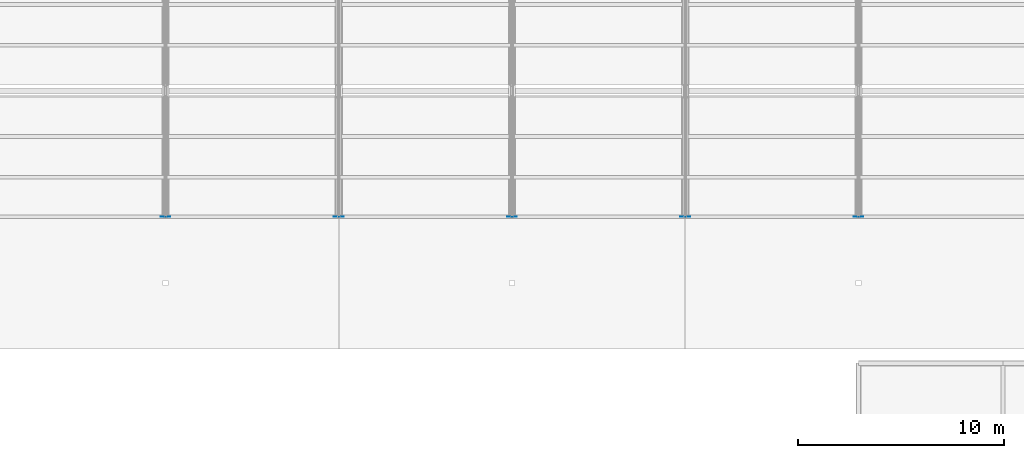
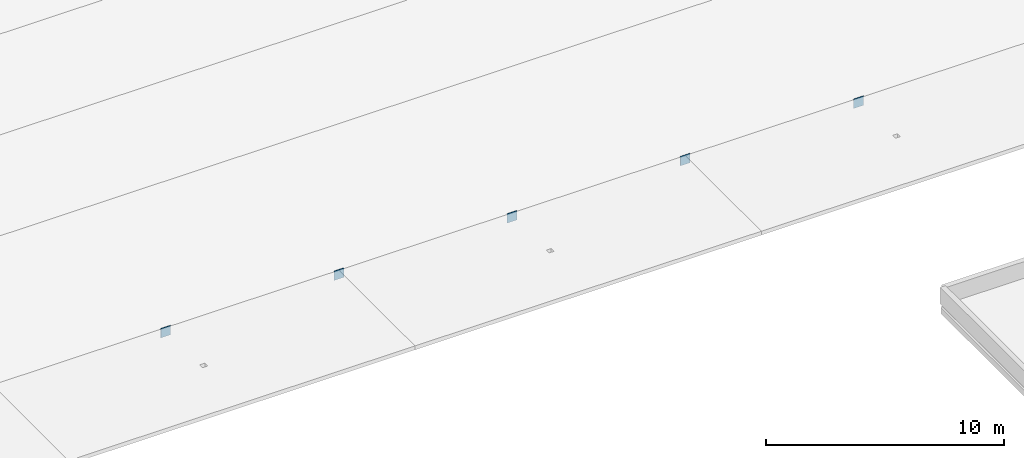
# One storey, part 159 of 194: 5 plates.
"""IFC4 building model written with IfcOpenShell, lengths in metres."""

from ifc_helpers import new_model, si_unit, direction, frame, origin, origin_2d, place, context, subcontext, project, spatial, rectangle, extrude, material, layer, layer_set, type_object, element, save


model = new_model("IFC4")

# Units and contexts
model_context = context("Model", 3, precision=1e-05, world=origin(), true_north=direction((0.0, 1.0)))
body_context = subcontext(model_context, "Body", "Model", "MODEL_VIEW")
ifc_project = project(units=[si_unit("LENGTHUNIT", "METRE"), si_unit("AREAUNIT", "SQUARE_METRE"), si_unit("VOLUMEUNIT", "CUBIC_METRE"), si_unit("PLANEANGLEUNIT", "RADIAN"), si_unit("MASSUNIT", "GRAM", prefix="KILO")], contexts=[model_context])

# Site, building, storey
site_placement = place(None, origin())
site = spatial("IfcSite", under=ifc_project, at=site_placement, CompositionType="ELEMENT")
building_placement = place(site_placement, origin())
building = spatial("IfcBuilding", under=site, at=building_placement, Name="Kazenagashi Tramway Depot", CompositionType="ELEMENT")
storey_placement = place(building_placement, frame((0.0, 0.0, 23.7)))
storey = spatial("IfcBuildingStorey", under=building, at=storey_placement, Name="ROOF", CompositionType="ELEMENT", Elevation=23.7)

# Plates
ifc_material = material(Name="Steel SN490B", Category="steel")
ifc_layer = layer(ifc_material, 0.019)
ifc_layer_set = layer_set([ifc_layer], Name="Steel SN490B")
plate_type = type_object("IfcPlateType", Name="GP-02", PredefinedType="USERDEFINED", material=ifc_layer_set)
for number, where, z_axis, x_axis, name in (
    (1, (70.0, 22.9, -8.84), (0.0, 0.0, 1.0), (1.0, 0.0, 0.0), "Structural Node Plate GP-02 PLT-0117"),
    (2, (78.4, 22.9, -8.84), (0.0, 0.0, 1.0), (1.0, 0.0, 0.0), "Structural Node Plate GP-02 PLT-0120"),
    (3, (86.8, 22.9, -8.84), (0.0, 0.0, 1.0), (1.0, 0.0, 0.0), "Structural Node Plate GP-02 PLT-0121"),
    (4, (95.2, 22.9, -8.84), (0.0, 0.0, 1.0), (1.0, 0.0, 0.0), "Structural Node Plate GP-02 PLT-0124"),
    (5, (103.6, 22.9, -8.84), (0.0, 0.0, 1.0), (1.0, 0.0, 0.0), "Structural Node Plate GP-02 PLT-0125"),
):
    element("IfcPlate", number, at=place(storey_placement, frame(where, z_axis=z_axis, x_axis=x_axis)), inside=storey, type_object=plate_type, Name=name, ObjectType="GUSSET PLATE", PredefinedType="USERDEFINED", context=body_context, shape_type="SweptSolid", body=[
        extrude(rectangle(XDim=0.48, YDim=0.019, at=origin_2d()), origin(), (0.0, 0.0, 1.0), 0.48),
    ])

save(model, "model.ifc")
